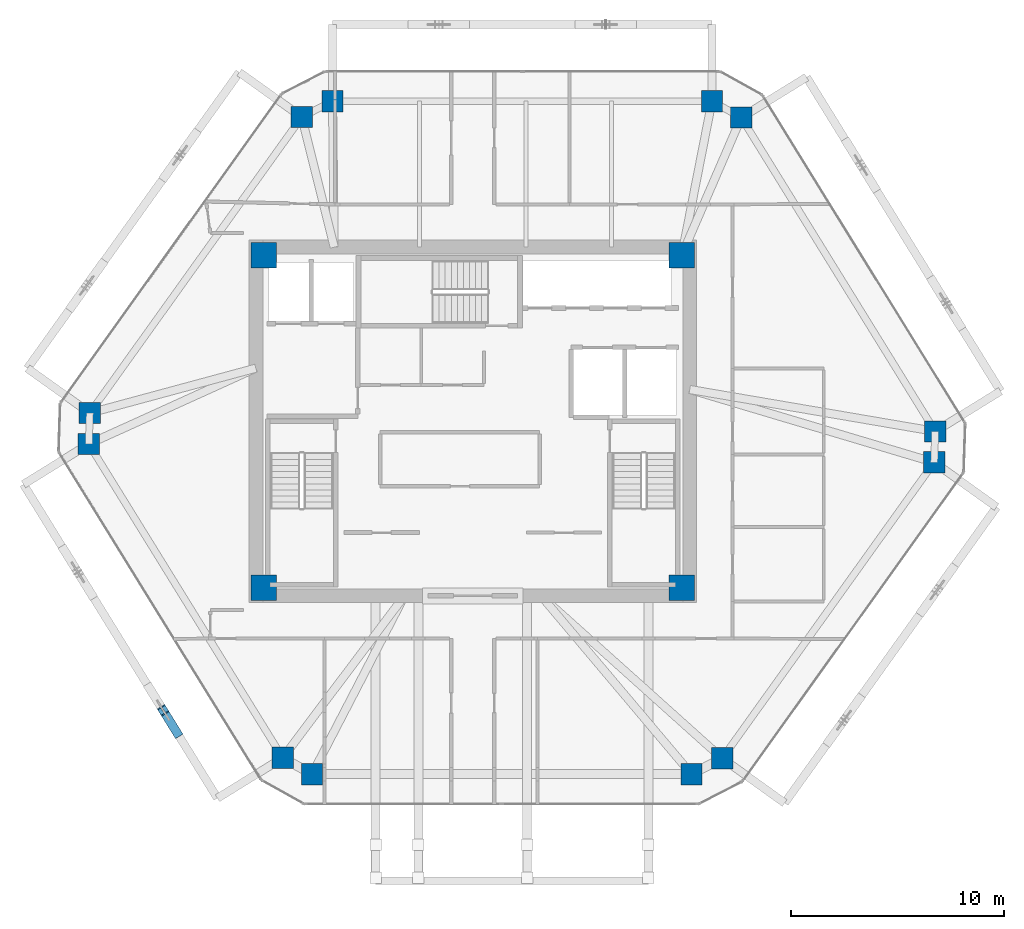
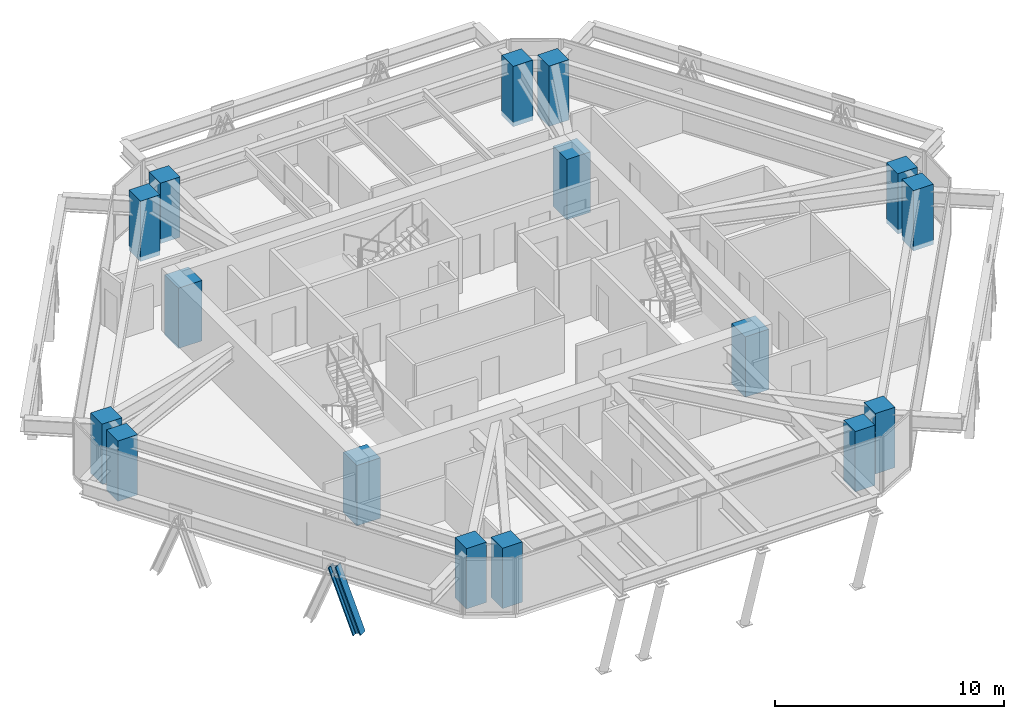
# One storey, part 1 of 14: 16 columns, 1 member.
"""IFC4 building model written with IfcOpenShell, lengths in metres."""

from ifc_helpers import new_model, si_unit, direction, frame, origin, origin_2d, place, context, subcontext, project, spatial, rectangle, i_section, extrude, source, transform, mapped, material, material_profile, profile_set, type_object, type_shapes, element, save


model = new_model("IFC4")

# Units and contexts
model_context = context("Model", 3, precision=1e-05, world=origin(), true_north=direction((0.0, 1.0)))
body_context = subcontext(model_context, "Body", "Model", "MODEL_VIEW")
ifc_project = project(units=[si_unit("LENGTHUNIT", "METRE"), si_unit("AREAUNIT", "SQUARE_METRE"), si_unit("VOLUMEUNIT", "CUBIC_METRE"), si_unit("PLANEANGLEUNIT", "RADIAN"), si_unit("MASSUNIT", "GRAM", prefix="KILO")], contexts=[model_context])

# Site, building, storey
site_placement = place(None, origin())
site = spatial("IfcSite", under=ifc_project, at=site_placement, CompositionType="ELEMENT")
building_placement = place(site_placement, origin())
building = spatial("IfcBuilding", under=site, at=building_placement, Name="Durnholm Broadcast Tower", CompositionType="ELEMENT")
storey_placement = place(building_placement, frame((0.0, 0.0, 159.300048828125)))
storey = spatial("IfcBuildingStorey", under=building, at=storey_placement, Name="L43", CompositionType="ELEMENT", Elevation=159.300048828125)

# Columns
ifc_material_1 = material(Name="Concrete C70/85", Category="concrete")
ifc_material_profile_1 = material_profile(ifc_material_1, rectangle(XDim=1.199951171875, YDim=1.199951171875, at=origin_2d()), Name="RC1200X1200")
ifc_profile_set_1 = profile_set([ifc_material_profile_1], Name="Concrete C70/85")
column_type_1 = type_object("IfcColumnType", Name="COL-CC-1200", PredefinedType="COLUMN", material=ifc_profile_set_1)
shared_shape_1 = source(origin(), body_context, "Body", "SweptSolid", [
    extrude(rectangle(XDim=1.199951171875, YDim=1.199951171875, at=origin_2d()), origin(), (0.0, 0.0, 1.0), 3.219970703125),
])
type_shapes(column_type_1, [shared_shape_1])
for number, where, z_axis, x_axis, name in (
    (1, (-9.800048828125, -7.800048828125, -0.239990234375), (0.0, 0.0, 1.0), (1.0, 0.0, 0.0), "L43 core corner column 1"),
    (2, (9.800048828125, -7.800048828125, -0.239990234375), (0.0, 0.0, 1.0), (1.0, 0.0, 0.0), "L43 core corner column 2"),
    (3, (9.800048828125, 7.800048828125, -0.239990234375), (0.0, 0.0, 1.0), (1.0, 0.0, 0.0), "L43 core corner column 3"),
    (4, (-9.800048828125, 7.800048828125, -0.239990234375), (0.0, 0.0, 1.0), (1.0, 0.0, 0.0), "L43 core corner column 4"),
):
    element("IfcColumn", number, at=place(storey_placement, frame(where, z_axis=z_axis, x_axis=x_axis)), inside=storey, type_object=column_type_1, Name=name, PredefinedType="COLUMN", context=body_context, shape_type="MappedRepresentation", body=[
        mapped(shared_shape_1, transform((0.0, 0.0, 0.0), x_axis=(1.0, 0.0, 0.0), y_axis=(0.0, 1.0, 0.0), z_axis=(0.0, 0.0, 1.0), scale=1.0)),
    ])
ifc_material_profile_2 = material_profile(ifc_material_1, rectangle(XDim=1.0, YDim=1.0, at=origin_2d()), Name="RC1000X1000")
ifc_profile_set_2 = profile_set([ifc_material_profile_2], Name="Concrete C70/85")
column_type_2 = type_object("IfcColumnType", Name="COL-CC-1000", PredefinedType="COLUMN", material=ifc_profile_set_2)
shared_shape_2 = source(origin(), body_context, "Body", "SweptSolid", [
    extrude(rectangle(XDim=1.0, YDim=1.0, at=origin_2d()), origin(), (0.0, 0.0, 1.0), 3.219970703125),
])
type_shapes(column_type_2, [shared_shape_2])
for number, where, z_axis, x_axis, name in (
    (5, (-8.91259765625, -15.7763671875, -0.239990234375), (0.0, 0.0, 1.0), (1.0, 0.0, 0.0), "L43 perimeter hexagonal tube column 01"),
    (6, (-18.009033203125, -1.056640625, -0.239990234375), (0.0, 0.0, 1.0), (1.0, 0.0, 0.0), "L43 perimeter hexagonal tube column 02"),
    (7, (-17.9599609375, 0.3955078125, -0.239990234375), (0.0, 0.0, 1.0), (1.0, 0.0, 0.0), "L43 perimeter hexagonal tube column 03"),
    (8, (-8.021728515625, 14.2763671875, -0.239990234375), (0.0, 0.0, 1.0), (1.0, 0.0, 0.0), "L43 perimeter hexagonal tube column 04"),
    (9, (-6.57861328125, 15.01806640625, -0.239990234375), (0.0, 0.0, 1.0), (1.0, 0.0, 0.0), "L43 perimeter hexagonal tube column 05"),
    (10, (11.217529296875, 15.01806640625, -0.239990234375), (0.0, 0.0, 1.0), (1.0, 0.0, 0.0), "L43 perimeter hexagonal tube column 06"),
    (11, (12.5908203125, 14.252197265625, -0.239990234375), (0.0, 0.0, 1.0), (1.0, 0.0, 0.0), "L43 perimeter hexagonal tube column 07"),
    (12, (21.68701171875, -0.46728515625, -0.239990234375), (0.0, 0.0, 1.0), (1.0, 0.0, 0.0), "L43 perimeter hexagonal tube column 08"),
    (13, (21.637939453125, -1.919677734375, -0.239990234375), (0.0, 0.0, 1.0), (1.0, 0.0, 0.0), "L43 perimeter hexagonal tube column 09"),
    (14, (11.69970703125, -15.80029296875, -0.239990234375), (0.0, 0.0, 1.0), (1.0, 0.0, 0.0), "L43 perimeter hexagonal tube column 10"),
    (15, (10.256591796875, -16.5419921875, -0.239990234375), (0.0, 0.0, 1.0), (1.0, 0.0, 0.0), "L43 perimeter hexagonal tube column 11"),
    (16, (-7.53955078125, -16.5419921875, -0.239990234375), (0.0, 0.0, 1.0), (1.0, 0.0, 0.0), "L43 perimeter hexagonal tube column 12"),
):
    element("IfcColumn", number, at=place(storey_placement, frame(where, z_axis=z_axis, x_axis=x_axis)), inside=storey, type_object=column_type_2, Name=name, PredefinedType="COLUMN", context=body_context, shape_type="MappedRepresentation", body=[
        mapped(shared_shape_2, transform((0.0, 0.0, 0.0), x_axis=(1.0, 0.0, 0.0), y_axis=(0.0, 1.0, 0.0), z_axis=(0.0, 0.0, 1.0), scale=1.0)),
    ])

# Member
ifc_material_2 = material(Name="Steel ASTM A913 Grade 65", Category="steel")
ifc_material_profile_3 = material_profile(ifc_material_2, i_section(OverallWidth=0.412109375, OverallDepth=0.434814453125, WebThickness=0.035888671875, FlangeThickness=0.057373046875, FilletRadius=0.030517578125, at=origin_2d()), Name="W14X311")
ifc_profile_set_3 = profile_set([ifc_material_profile_3], Name="Steel ASTM A913 Grade 65")
member_type = type_object("IfcMemberType", Name="STL-DG-W14X311", PredefinedType="BRACE", material=ifc_profile_set_3)
shared_shape_3 = source(origin(), body_context, "Body", "SweptSolid", [
    extrude(i_section(OverallWidth=0.412109375, OverallDepth=0.434814453125, WebThickness=0.035888671875, FlangeThickness=0.057373046875, FilletRadius=0.030517578125, at=origin_2d()), origin(), (0.0, 0.0, 1.0), 3.4482421875),
])
type_shapes(member_type, [shared_shape_3])
member_placement = place(storey_placement, frame((-13.87353515625, -14.596923828125, -0.991455078125), z_axis=(-0.188117912139, 0.304372941018, 0.933792677155), x_axis=(-0.850644447398, -0.525741404219, 0.0)))
element("IfcMember", 17, at=member_placement, inside=storey, type_object=member_type, Name="L43 stand-off diagrid brace F6.D2.2", PredefinedType="BRACE", context=body_context, shape_type="MappedRepresentation", body=[
    mapped(shared_shape_3, transform((0.0, 0.0, 0.0), x_axis=(1.0, 0.0, 0.0), y_axis=(0.0, 1.0, 0.0), z_axis=(0.0, 0.0, 1.0), scale=1.0)),
])

save(model, "model.ifc")
